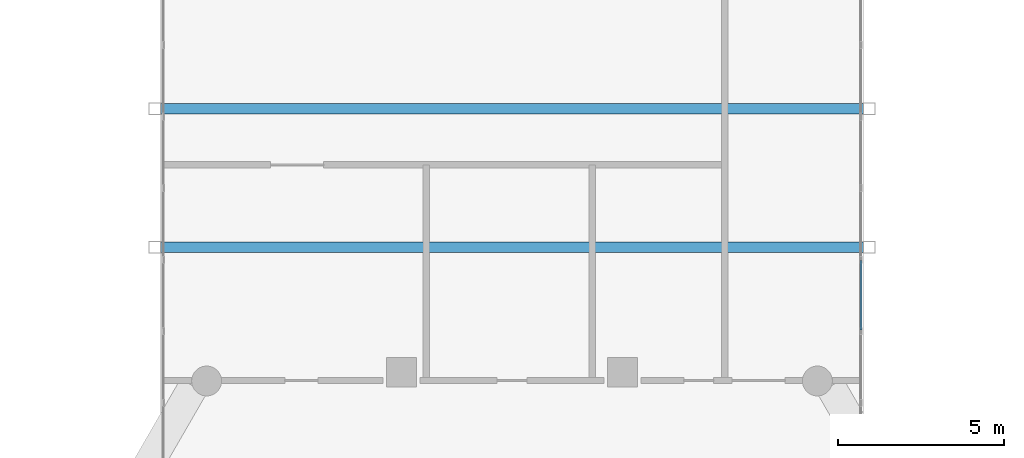
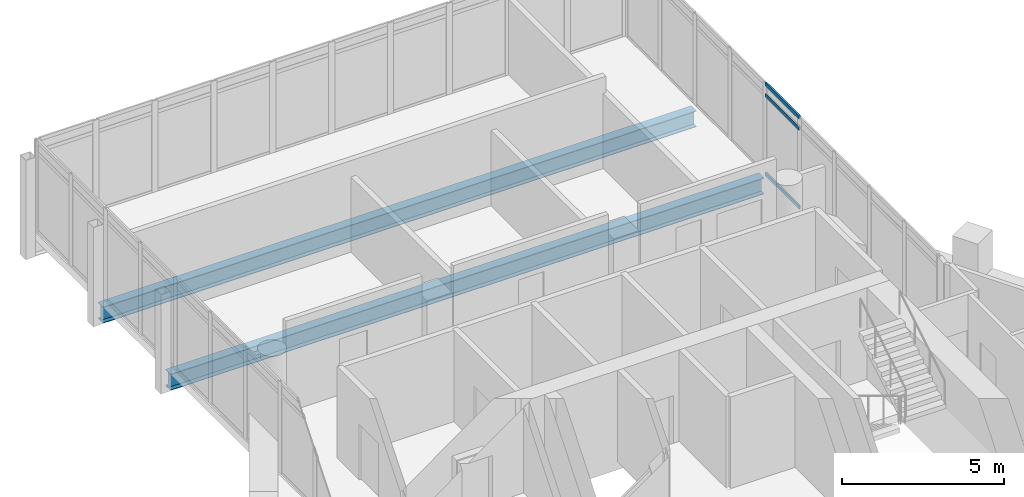
# One storey, part 14 of 25: 3 members, 2 beams, 1 element without a shape of its own.
"""IFC4 building model written with IfcOpenShell, lengths in metres."""

from ifc_helpers import new_model, si_unit, direction, frame, origin, origin_2d, place, context, subcontext, project, spatial, hollow_rectangle, i_section, extrude, material, material_profile, profile_set, type_object, element, aggregate, save


model = new_model("IFC4")

# Units and contexts
model_context = context("Model", 3, precision=1e-05, world=origin(), true_north=direction((0.0, 1.0)))
body_context = subcontext(model_context, "Body", "Model", "MODEL_VIEW")
ifc_project = project(units=[si_unit("LENGTHUNIT", "METRE"), si_unit("AREAUNIT", "SQUARE_METRE"), si_unit("VOLUMEUNIT", "CUBIC_METRE"), si_unit("PLANEANGLEUNIT", "RADIAN"), si_unit("MASSUNIT", "GRAM", prefix="KILO")], contexts=[model_context])

# Site, building, storey
site_placement = place(None, origin())
site = spatial("IfcSite", under=ifc_project, at=site_placement, CompositionType="ELEMENT")
building_placement = place(site_placement, origin())
building = spatial("IfcBuilding", under=site, at=building_placement, Name="Ostrander Bayou Hotel Tower", CompositionType="ELEMENT")
storey_placement = place(building_placement, frame((0.0, 0.0, 229.5)))
storey = spatial("IfcBuildingStorey", under=building, at=storey_placement, Name="L57", CompositionType="ELEMENT", Elevation=229.5)

# Curtain wall, members
ifc_material_1 = material(Name="Aluminium and clear glass", Category="aluminium")
curtain_wall_type = type_object("IfcCurtainWallType", Name="CW-BAR glazed wall", PredefinedType="NOTDEFINED", material=ifc_material_1)
curtain_wall_placement = place(storey_placement, origin())
curtain_wall = element("IfcCurtainWall", 1, at=curtain_wall_placement, inside=storey, type_object=curtain_wall_type, Name="CW-BAR L57:SB5N:W", PredefinedType="NOTDEFINED")
ifc_material_2 = material(Name="Aluminium", Category="aluminium")
ifc_material_profile_1 = material_profile(ifc_material_2, hollow_rectangle(XDim=0.06005859375, YDim=0.1298828125, WallThickness=0.00390625, at=origin_2d()))
ifc_profile_set_1 = profile_set([ifc_material_profile_1], Name="Aluminium")
member_type = type_object("IfcMemberType", Name="CW-BR transom 60 x 130 mm", PredefinedType="USERDEFINED", material=ifc_profile_set_1)
member_1_placement = place(storey_placement, frame((10.51220703125, 18.117919921875, 0.030029296875), z_axis=(0.0, 1.0, 0.0), x_axis=(-1.0, 0.0, 0.0)))
member_1 = element("IfcMember", 2, at=member_1_placement, type_object=member_type, Name="CW-BAR transom 5.1", ObjectType="TRANSOM", PredefinedType="USERDEFINED", context=body_context, shape_type="SweptSolid", body=[
    extrude(hollow_rectangle(XDim=0.06005859375, YDim=0.1298828125, WallThickness=0.00390625, at=origin_2d()), origin(), (0.0, 0.0, 1.0), 2.095703125),
])
member_2_placement = place(storey_placement, frame((10.51220703125, 18.117919921875, 3.0), z_axis=(0.0, 1.0, 0.0), x_axis=(-1.0, 0.0, 0.0)))
member_2 = element("IfcMember", 3, at=member_2_placement, type_object=member_type, Name="CW-BAR transom 5.2", ObjectType="TRANSOM", PredefinedType="USERDEFINED", context=body_context, shape_type="SweptSolid", body=[
    extrude(hollow_rectangle(XDim=0.06005859375, YDim=0.1298828125, WallThickness=0.00390625, at=origin_2d()), origin(), (0.0, 0.0, 1.0), 2.095703125),
])
member_3_placement = place(storey_placement, frame((10.51220703125, 18.117919921875, 3.419921875), z_axis=(0.0, 1.0, 0.0), x_axis=(-1.0, 0.0, 0.0)))
member_3 = element("IfcMember", 4, at=member_3_placement, type_object=member_type, Name="CW-BAR transom 5.3", ObjectType="TRANSOM", PredefinedType="USERDEFINED", context=body_context, shape_type="SweptSolid", body=[
    extrude(hollow_rectangle(XDim=0.06005859375, YDim=0.1298828125, WallThickness=0.00390625, at=origin_2d()), origin(), (0.0, 0.0, 1.0), 2.095703125),
])
aggregate(curtain_wall, [member_1, member_2, member_3])

# Beams
ifc_material_3 = material(Name="Steel ASTM A992", Category="steel")
ifc_material_profile_2 = material_profile(ifc_material_3, i_section(OverallWidth=0.32373046875, OverallDepth=0.611083984375, WebThickness=0.0126953125, FlangeThickness=0.01904296875, at=origin_2d()))
ifc_profile_set_2 = profile_set([ifc_material_profile_2], Name="Steel ASTM A992")
beam_type = type_object("IfcBeamType", Name="TF2 bar floor beam W24x104", PredefinedType="BEAM", material=ifc_profile_set_2)
for number, where, z_axis, x_axis, name in (
    (5, (-10.587158203125, 24.790283203125, -0.605712890625), (1.0, 0.0, 0.0), (0.0, 1.0, 0.0), "TF2 SB5W L3-2"),
    (6, (-10.587158203125, 20.6142578125, -0.605712890625), (1.0, 0.0, 0.0), (0.0, 1.0, 0.0), "TF2 SB5W L3-3"),
):
    element("IfcBeam", number, at=place(storey_placement, frame(where, z_axis=z_axis, x_axis=x_axis)), inside=storey, type_object=beam_type, Name=name, PredefinedType="BEAM", context=body_context, shape_type="SweptSolid", body=[
        extrude(i_section(OverallWidth=0.32373046875, OverallDepth=0.611083984375, WebThickness=0.0126953125, FlangeThickness=0.01904296875, at=origin_2d()), origin(), (0.0, 0.0, 1.0), 21.17431640625),
    ])

save(model, "model.ifc")
